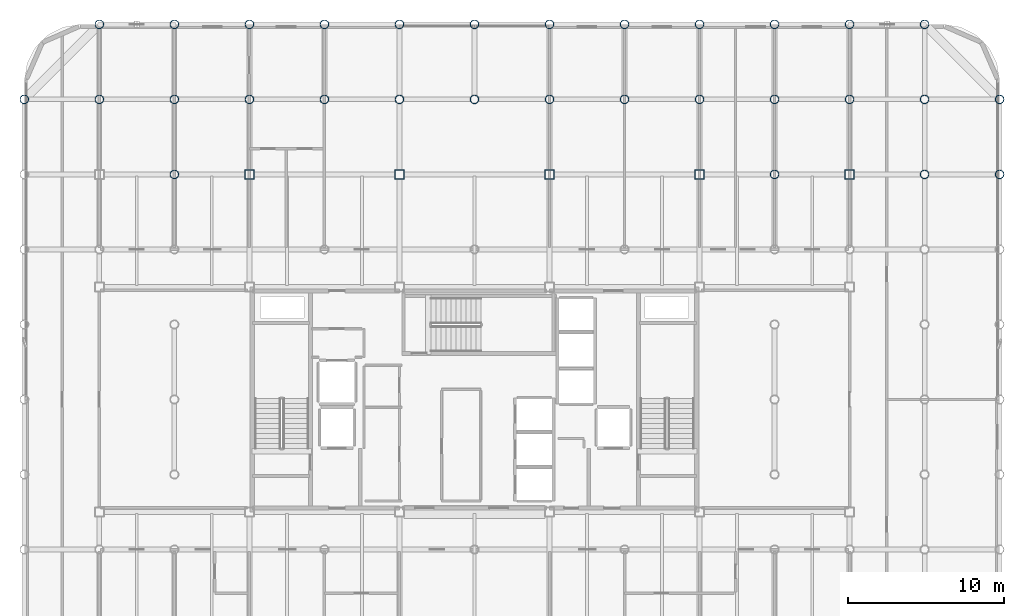
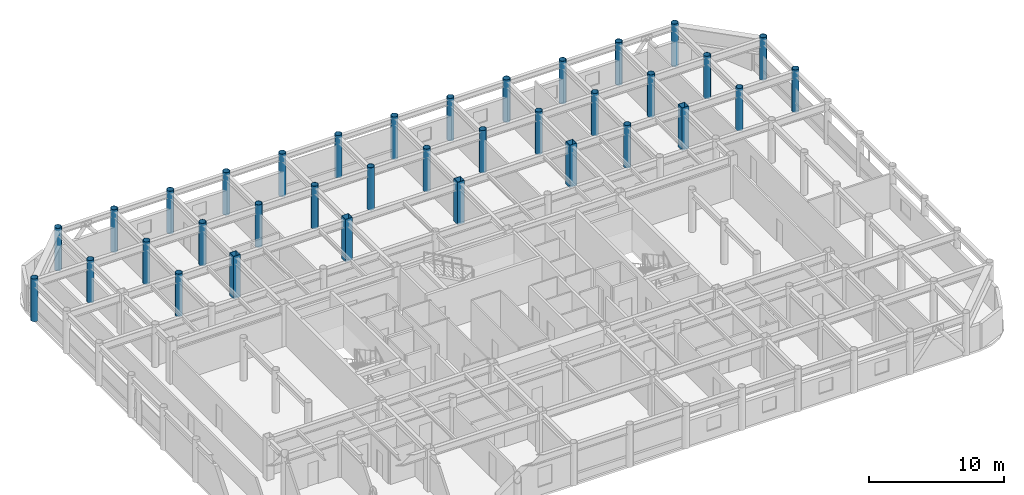
# One storey, part 2 of 22: 35 columns.
"""IFC4 building model written with IfcOpenShell, lengths in metres."""

from ifc_helpers import new_model, si_unit, direction, frame, origin, origin_2d, place, context, subcontext, project, spatial, hollow_rectangle, hollow_circle, extrude, material, material_profile, profile_set, type_object, element, save


model = new_model("IFC4")

# Units and contexts
model_context = context("Model", 3, precision=1e-05, world=origin(), true_north=direction((0.0, 1.0)))
body_context = subcontext(model_context, "Body", "Model", "MODEL_VIEW")
ifc_project = project(units=[si_unit("LENGTHUNIT", "METRE"), si_unit("AREAUNIT", "SQUARE_METRE"), si_unit("VOLUMEUNIT", "CUBIC_METRE"), si_unit("PLANEANGLEUNIT", "RADIAN"), si_unit("MASSUNIT", "GRAM", prefix="KILO")], contexts=[model_context])

# Site, building, storey
site_placement = place(None, origin())
site = spatial("IfcSite", under=ifc_project, at=site_placement, CompositionType="ELEMENT")
building_placement = place(site_placement, origin())
building = spatial("IfcBuilding", under=site, at=building_placement, Name="Kallvorn Hotel Tower", CompositionType="ELEMENT")
storey_placement = place(building_placement, frame((0.0, 0.0, 241.550048828125)))
storey = spatial("IfcBuildingStorey", under=building, at=storey_placement, Name="L60", CompositionType="ELEMENT", Elevation=241.550048828125)

# Columns
ifc_material_1 = material(Name="Structural steel S355J2H", Category="steel")
ifc_material_profile_1 = material_profile(ifc_material_1, hollow_circle(Radius=0.279541015625, WallThickness=0.02490234375, at=origin_2d()), Name="CHS 559x25")
ifc_profile_set_1 = profile_set([ifc_material_profile_1], Name="Structural steel S355J2H")
column_type_1 = type_object("IfcColumnType", Name="COL_CHS_559", PredefinedType="COLUMN", material=ifc_profile_set_1)
for number, where, z_axis, x_axis, name in (
    (1, (-28.800048828125, 19.199951171875, 0.0), (0.0, 0.0, 1.0), (1.0, 0.0, 0.0), "L60 Exoskeleton Column EC09"),
    (2, (-24.0, 19.199951171875, 0.0), (0.0, 0.0, 1.0), (1.0, 0.0, 0.0), "L60 Exoskeleton Column EC13"),
    (3, (-24.0, 24.0, 0.0), (0.0, 0.0, 1.0), (1.0, 0.0, 0.0), "L60 Exoskeleton Column EC14"),
    (4, (-19.199951171875, 14.39990234375, 0.0), (0.0, 0.0, 1.0), (1.0, 0.0, 0.0), "L60 Exoskeleton Column EC22"),
    (5, (-19.199951171875, 19.199951171875, 0.0), (0.0, 0.0, 1.0), (1.0, 0.0, 0.0), "L60 Exoskeleton Column EC23"),
    (6, (-19.199951171875, 24.0, 0.0), (0.0, 0.0, 1.0), (1.0, 0.0, 0.0), "L60 Exoskeleton Column EC24"),
    (7, (-14.39990234375, 19.199951171875, 0.0), (0.0, 0.0, 1.0), (1.0, 0.0, 0.0), "L60 Exoskeleton Column EC26"),
    (8, (-14.39990234375, 24.0, 0.0), (0.0, 0.0, 1.0), (1.0, 0.0, 0.0), "L60 Exoskeleton Column EC27"),
    (9, (-9.60009765625, 19.199951171875, 0.0), (0.0, 0.0, 1.0), (1.0, 0.0, 0.0), "L60 Exoskeleton Column EC31"),
    (10, (-9.60009765625, 24.0, 0.0), (0.0, 0.0, 1.0), (1.0, 0.0, 0.0), "L60 Exoskeleton Column EC32"),
    (11, (-4.800048828125, 19.199951171875, 0.0), (0.0, 0.0, 1.0), (1.0, 0.0, 0.0), "L60 Exoskeleton Column EC34"),
    (12, (-4.800048828125, 24.0, 0.0), (0.0, 0.0, 1.0), (1.0, 0.0, 0.0), "L60 Exoskeleton Column EC35"),
    (13, (0.0, 19.199951171875, 0.0), (0.0, 0.0, 1.0), (1.0, 0.0, 0.0), "L60 Exoskeleton Column EC39"),
    (14, (0.0, 24.0, 0.0), (0.0, 0.0, 1.0), (1.0, 0.0, 0.0), "L60 Exoskeleton Column EC40"),
    (15, (4.800048828125, 19.199951171875, 0.0), (0.0, 0.0, 1.0), (1.0, 0.0, 0.0), "L60 Exoskeleton Column EC42"),
    (16, (4.800048828125, 24.0, 0.0), (0.0, 0.0, 1.0), (1.0, 0.0, 0.0), "L60 Exoskeleton Column EC43"),
    (17, (9.60009765625, 19.199951171875, 0.0), (0.0, 0.0, 1.0), (1.0, 0.0, 0.0), "L60 Exoskeleton Column EC47"),
    (18, (9.60009765625, 24.0, 0.0), (0.0, 0.0, 1.0), (1.0, 0.0, 0.0), "L60 Exoskeleton Column EC48"),
    (19, (14.39990234375, 19.199951171875, 0.0), (0.0, 0.0, 1.0), (1.0, 0.0, 0.0), "L60 Exoskeleton Column EC50"),
    (20, (14.39990234375, 24.0, 0.0), (0.0, 0.0, 1.0), (1.0, 0.0, 0.0), "L60 Exoskeleton Column EC51"),
    (21, (19.199951171875, 14.39990234375, 0.0), (0.0, 0.0, 1.0), (1.0, 0.0, 0.0), "L60 Exoskeleton Column EC59"),
    (22, (19.199951171875, 19.199951171875, 0.0), (0.0, 0.0, 1.0), (1.0, 0.0, 0.0), "L60 Exoskeleton Column EC60"),
    (23, (19.199951171875, 24.0, 0.0), (0.0, 0.0, 1.0), (1.0, 0.0, 0.0), "L60 Exoskeleton Column EC61"),
    (24, (24.0, 19.199951171875, 0.0), (0.0, 0.0, 1.0), (1.0, 0.0, 0.0), "L60 Exoskeleton Column EC65"),
    (25, (24.0, 24.0, 0.0), (0.0, 0.0, 1.0), (1.0, 0.0, 0.0), "L60 Exoskeleton Column EC66"),
    (26, (28.800048828125, 14.39990234375, 0.0), (0.0, 0.0, 1.0), (1.0, 0.0, 0.0), "L60 Exoskeleton Column EC74"),
    (27, (28.800048828125, 19.199951171875, 0.0), (0.0, 0.0, 1.0), (1.0, 0.0, 0.0), "L60 Exoskeleton Column EC75"),
    (28, (28.800048828125, 24.0, 0.0), (0.0, 0.0, 1.0), (1.0, 0.0, 0.0), "L60 Exoskeleton Column EC76"),
    (29, (33.60009765625, 14.39990234375, 0.0), (0.0, 0.0, 1.0), (1.0, 0.0, 0.0), "L60 Exoskeleton Column EC83"),
    (30, (33.60009765625, 19.199951171875, 0.0), (0.0, 0.0, 1.0), (1.0, 0.0, 0.0), "L60 Exoskeleton Column EC84"),
):
    element("IfcColumn", number, at=place(storey_placement, frame(where, z_axis=z_axis, x_axis=x_axis)), inside=storey, type_object=column_type_1, Name=name, PredefinedType="COLUMN", context=body_context, shape_type="SweptSolid", body=[
        extrude(hollow_circle(Radius=0.279541015625, WallThickness=0.02490234375, at=origin_2d()), origin(), (0.0, 0.0, 1.0), 3.849853515625),
    ])
ifc_material_2 = material(Name="Structural steel S355J2H", Category="steel")
ifc_material_profile_2 = material_profile(ifc_material_2, hollow_rectangle(XDim=0.60009765625, YDim=0.60009765625, WallThickness=0.028076171875, at=origin_2d()), Name="RHS 600x600x28")
ifc_profile_set_2 = profile_set([ifc_material_profile_2], Name="Structural steel S355J2H")
column_type_2 = type_object("IfcColumnType", Name="COL_RHS_600", PredefinedType="COLUMN", material=ifc_profile_set_2)
for number, where, z_axis, x_axis, name in (
    (31, (-14.39990234375, 14.39990234375, 0.0), (0.0, 0.0, 1.0), (1.0, 0.0, 0.0), "L60 Inner Column IC08"),
    (32, (-4.800048828125, 14.39990234375, 0.0), (0.0, 0.0, 1.0), (1.0, 0.0, 0.0), "L60 Inner Column IC12"),
    (33, (4.800048828125, 14.39990234375, 0.0), (0.0, 0.0, 1.0), (1.0, 0.0, 0.0), "L60 Inner Column IC16"),
    (34, (14.39990234375, 14.39990234375, 0.0), (0.0, 0.0, 1.0), (1.0, 0.0, 0.0), "L60 Inner Column IC20"),
    (35, (24.0, 14.39990234375, 0.0), (0.0, 0.0, 1.0), (1.0, 0.0, 0.0), "L60 Inner Column IC24"),
):
    element("IfcColumn", number, at=place(storey_placement, frame(where, z_axis=z_axis, x_axis=x_axis)), inside=storey, type_object=column_type_2, Name=name, PredefinedType="COLUMN", context=body_context, shape_type="SweptSolid", body=[
        extrude(hollow_rectangle(XDim=0.60009765625, YDim=0.60009765625, WallThickness=0.028076171875, at=origin_2d()), origin(), (0.0, 0.0, 1.0), 3.849853515625),
    ])

save(model, "model.ifc")
